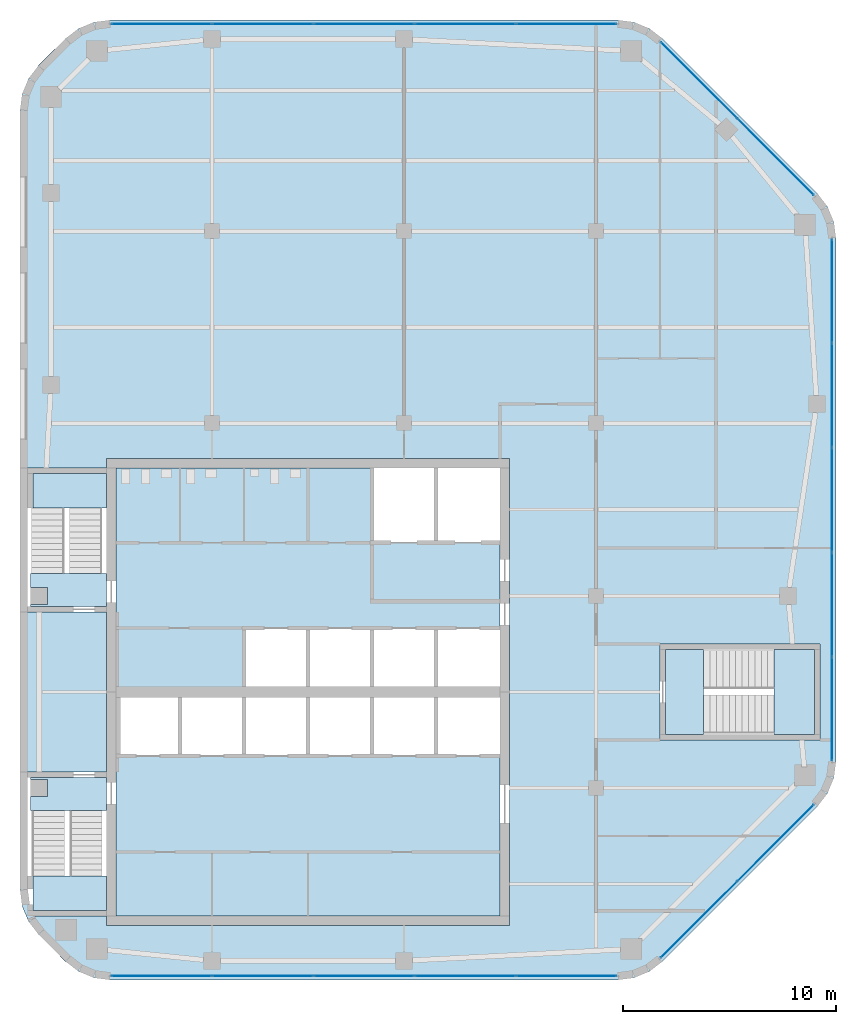
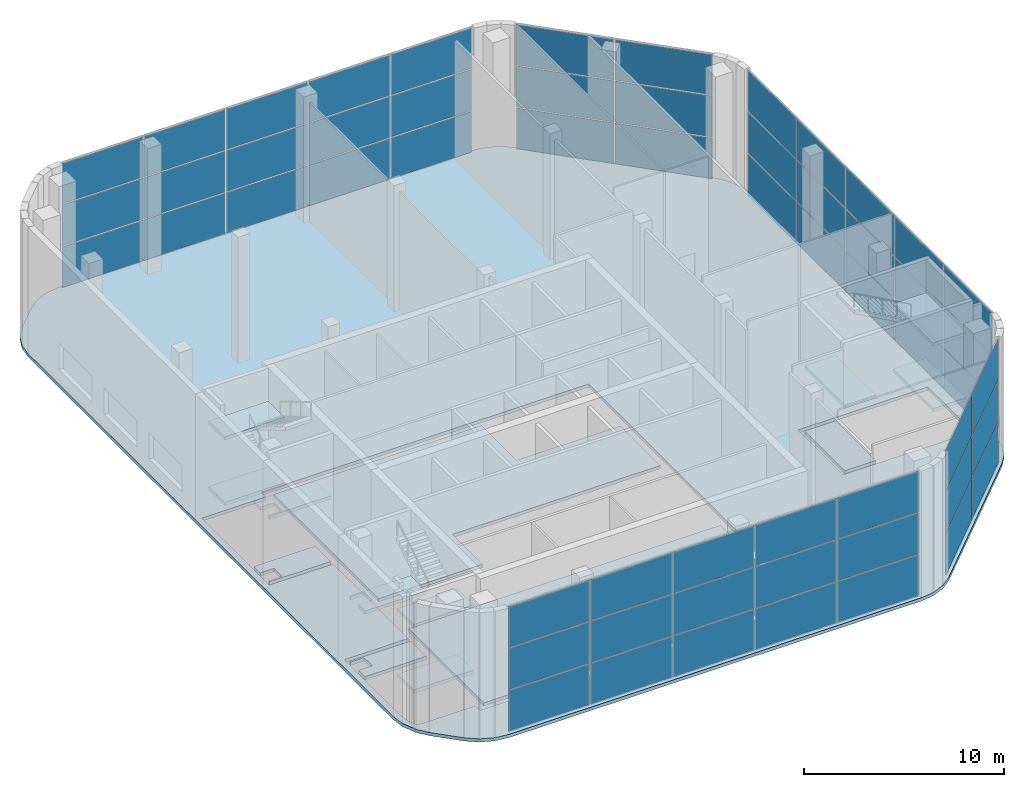
# One storey, part 7 of 12: 57 plates, 15 slabs, 8 elements without a shape of their own.
"""IFC4 building model written with IfcOpenShell, lengths in metres."""

from ifc_helpers import new_model, si_unit, direction, frame, origin, origin_2d, place, context, subcontext, project, spatial, polyline, rectangle, outline, extrude, material, layer, layer_set, type_object, element, aggregate, save


model = new_model("IFC4")

# Units and contexts
model_context = context("Model", 3, precision=1e-05, world=origin(), true_north=direction((0.0, 1.0)))
body_context = subcontext(model_context, "Body", "Model", "MODEL_VIEW")
ifc_project = project(units=[si_unit("LENGTHUNIT", "METRE"), si_unit("AREAUNIT", "SQUARE_METRE"), si_unit("VOLUMEUNIT", "CUBIC_METRE"), si_unit("PLANEANGLEUNIT", "RADIAN"), si_unit("MASSUNIT", "GRAM", prefix="KILO")], contexts=[model_context])

# Site, building, storey
site_placement = place(None, origin())
site = spatial("IfcSite", under=ifc_project, at=site_placement, CompositionType="ELEMENT")
building_placement = place(site_placement, origin())
building = spatial("IfcBuilding", under=site, at=building_placement, Name="Cinnabar Reach Civic Tower", CompositionType="ELEMENT")
storey_placement = place(building_placement, frame((0.0, 0.0, 283.0)))
storey = spatial("IfcBuildingStorey", under=building, at=storey_placement, Name="L68", CompositionType="ELEMENT", Elevation=283.0)

# Curtain wall, plates
ifc_material_1 = material(Name="Aluminium and clear double glazing", Category="aluminium")
curtain_wall_type = type_object("IfcCurtainWallType", Name="Observation deck curtain wall", PredefinedType="NOTDEFINED", material=ifc_material_1)
curtain_wall_1_placement = place(storey_placement, origin())
curtain_wall_1 = element("IfcCurtainWall", 1, at=curtain_wall_1_placement, inside=storey, type_object=curtain_wall_type, Name="Observation deck 1", PredefinedType="NOTDEFINED")
ifc_material_2 = material(Name="Clear double glazing", Category="glass")
ifc_layer_1 = layer(ifc_material_2, 0.028)
ifc_layer_set_1 = layer_set([ifc_layer_1], Name="Observation deck glazing panel")
plate_type = type_object("IfcPlateType", Name="Observation deck glazing panel", PredefinedType="CURTAIN_PANEL", material=ifc_layer_set_1)
plate_1_placement = place(storey_placement, frame((6.6341, 18.18, 0.0599), z_axis=(0.0, 0.0, 1.0), x_axis=(1.0, 0.0, 0.0)))
plate_1 = element("IfcPlate", 2, at=plate_1_placement, type_object=plate_type, Name="CW-T1OBS-1 panel 1.1", PredefinedType="CURTAIN_PANEL", context=body_context, shape_type="SweptSolid", body=[
    extrude(rectangle(XDim=4.663, YDim=0.028, at=origin_2d()), origin(), (0.0, 0.0, 1.0), 2.4767),
])
plate_2_placement = place(storey_placement, frame((6.6341, 18.18, 2.5967), z_axis=(0.0, 0.0, 1.0), x_axis=(1.0, 0.0, 0.0)))
plate_2 = element("IfcPlate", 3, at=plate_2_placement, type_object=plate_type, Name="CW-T1OBS-1 panel 1.2", PredefinedType="CURTAIN_PANEL", context=body_context, shape_type="SweptSolid", body=[
    extrude(rectangle(XDim=4.663, YDim=0.028, at=origin_2d()), origin(), (0.0, 0.0, 1.0), 2.5067),
])
plate_3_placement = place(storey_placement, frame((6.6341, 18.18, 5.1633), z_axis=(0.0, 0.0, 1.0), x_axis=(1.0, 0.0, 0.0)))
plate_3 = element("IfcPlate", 4, at=plate_3_placement, type_object=plate_type, Name="CW-T1OBS-1 panel 1.3", PredefinedType="CURTAIN_PANEL", context=body_context, shape_type="SweptSolid", body=[
    extrude(rectangle(XDim=4.663, YDim=0.028, at=origin_2d()), origin(), (0.0, 0.0, 1.0), 2.4767),
])
plate_4_placement = place(storey_placement, frame((11.372, 18.18, 0.0599), z_axis=(0.0, 0.0, 1.0), x_axis=(1.0, 0.0, 0.0)))
plate_4 = element("IfcPlate", 5, at=plate_4_placement, type_object=plate_type, Name="CW-T1OBS-1 panel 2.1", PredefinedType="CURTAIN_PANEL", context=body_context, shape_type="SweptSolid", body=[
    extrude(rectangle(XDim=4.693, YDim=0.028, at=origin_2d()), origin(), (0.0, 0.0, 1.0), 2.4767),
])
plate_5_placement = place(storey_placement, frame((11.372, 18.18, 2.5967), z_axis=(0.0, 0.0, 1.0), x_axis=(1.0, 0.0, 0.0)))
plate_5 = element("IfcPlate", 6, at=plate_5_placement, type_object=plate_type, Name="CW-T1OBS-1 panel 2.2", PredefinedType="CURTAIN_PANEL", context=body_context, shape_type="SweptSolid", body=[
    extrude(rectangle(XDim=4.693, YDim=0.028, at=origin_2d()), origin(), (0.0, 0.0, 1.0), 2.5067),
])
plate_6_placement = place(storey_placement, frame((11.372, 18.18, 5.1633), z_axis=(0.0, 0.0, 1.0), x_axis=(1.0, 0.0, 0.0)))
plate_6 = element("IfcPlate", 7, at=plate_6_placement, type_object=plate_type, Name="CW-T1OBS-1 panel 2.3", PredefinedType="CURTAIN_PANEL", context=body_context, shape_type="SweptSolid", body=[
    extrude(rectangle(XDim=4.693, YDim=0.028, at=origin_2d()), origin(), (0.0, 0.0, 1.0), 2.4767),
])
plate_7_placement = place(storey_placement, frame((16.125, 18.18, 0.0599), z_axis=(0.0, 0.0, 1.0), x_axis=(1.0, 0.0, 0.0)))
plate_7 = element("IfcPlate", 8, at=plate_7_placement, type_object=plate_type, Name="CW-T1OBS-1 panel 3.1", PredefinedType="CURTAIN_PANEL", context=body_context, shape_type="SweptSolid", body=[
    extrude(rectangle(XDim=4.693, YDim=0.028, at=origin_2d()), origin(), (0.0, 0.0, 1.0), 2.4767),
])
plate_8_placement = place(storey_placement, frame((16.125, 18.18, 2.5967), z_axis=(0.0, 0.0, 1.0), x_axis=(1.0, 0.0, 0.0)))
plate_8 = element("IfcPlate", 9, at=plate_8_placement, type_object=plate_type, Name="CW-T1OBS-1 panel 3.2", PredefinedType="CURTAIN_PANEL", context=body_context, shape_type="SweptSolid", body=[
    extrude(rectangle(XDim=4.693, YDim=0.028, at=origin_2d()), origin(), (0.0, 0.0, 1.0), 2.5067),
])
plate_9_placement = place(storey_placement, frame((16.125, 18.18, 5.1633), z_axis=(0.0, 0.0, 1.0), x_axis=(1.0, 0.0, 0.0)))
plate_9 = element("IfcPlate", 10, at=plate_9_placement, type_object=plate_type, Name="CW-T1OBS-1 panel 3.3", PredefinedType="CURTAIN_PANEL", context=body_context, shape_type="SweptSolid", body=[
    extrude(rectangle(XDim=4.693, YDim=0.028, at=origin_2d()), origin(), (0.0, 0.0, 1.0), 2.4767),
])
plate_10_placement = place(storey_placement, frame((20.878, 18.18, 0.0599), z_axis=(0.0, 0.0, 1.0), x_axis=(1.0, 0.0, 0.0)))
plate_10 = element("IfcPlate", 11, at=plate_10_placement, type_object=plate_type, Name="CW-T1OBS-1 panel 4.1", PredefinedType="CURTAIN_PANEL", context=body_context, shape_type="SweptSolid", body=[
    extrude(rectangle(XDim=4.693, YDim=0.028, at=origin_2d()), origin(), (0.0, 0.0, 1.0), 2.4767),
])
plate_11_placement = place(storey_placement, frame((20.878, 18.18, 2.5967), z_axis=(0.0, 0.0, 1.0), x_axis=(1.0, 0.0, 0.0)))
plate_11 = element("IfcPlate", 12, at=plate_11_placement, type_object=plate_type, Name="CW-T1OBS-1 panel 4.2", PredefinedType="CURTAIN_PANEL", context=body_context, shape_type="SweptSolid", body=[
    extrude(rectangle(XDim=4.693, YDim=0.028, at=origin_2d()), origin(), (0.0, 0.0, 1.0), 2.5067),
])
plate_12_placement = place(storey_placement, frame((20.878, 18.18, 5.1633), z_axis=(0.0, 0.0, 1.0), x_axis=(1.0, 0.0, 0.0)))
plate_12 = element("IfcPlate", 13, at=plate_12_placement, type_object=plate_type, Name="CW-T1OBS-1 panel 4.3", PredefinedType="CURTAIN_PANEL", context=body_context, shape_type="SweptSolid", body=[
    extrude(rectangle(XDim=4.693, YDim=0.028, at=origin_2d()), origin(), (0.0, 0.0, 1.0), 2.4767),
])
plate_13_placement = place(storey_placement, frame((25.6159, 18.18, 0.0599), z_axis=(0.0, 0.0, 1.0), x_axis=(1.0, 0.0, 0.0)))
plate_13 = element("IfcPlate", 14, at=plate_13_placement, type_object=plate_type, Name="CW-T1OBS-1 panel 5.1", PredefinedType="CURTAIN_PANEL", context=body_context, shape_type="SweptSolid", body=[
    extrude(rectangle(XDim=4.663, YDim=0.028, at=origin_2d()), origin(), (0.0, 0.0, 1.0), 2.4767),
])
plate_14_placement = place(storey_placement, frame((25.6159, 18.18, 2.5967), z_axis=(0.0, 0.0, 1.0), x_axis=(1.0, 0.0, 0.0)))
plate_14 = element("IfcPlate", 15, at=plate_14_placement, type_object=plate_type, Name="CW-T1OBS-1 panel 5.2", PredefinedType="CURTAIN_PANEL", context=body_context, shape_type="SweptSolid", body=[
    extrude(rectangle(XDim=4.663, YDim=0.028, at=origin_2d()), origin(), (0.0, 0.0, 1.0), 2.5067),
])
plate_15_placement = place(storey_placement, frame((25.6159, 18.18, 5.1633), z_axis=(0.0, 0.0, 1.0), x_axis=(1.0, 0.0, 0.0)))
plate_15 = element("IfcPlate", 16, at=plate_15_placement, type_object=plate_type, Name="CW-T1OBS-1 panel 5.3", PredefinedType="CURTAIN_PANEL", context=body_context, shape_type="SweptSolid", body=[
    extrude(rectangle(XDim=4.663, YDim=0.028, at=origin_2d()), origin(), (0.0, 0.0, 1.0), 2.4767),
])
aggregate(curtain_wall_1, [plate_1, plate_2, plate_3, plate_4, plate_5, plate_6, plate_7, plate_8, plate_9, plate_10, plate_11, plate_12, plate_13, plate_14, plate_15])

curtain_wall_2_placement = place(storey_placement, origin())
curtain_wall_2 = element("IfcCurtainWall", 17, at=curtain_wall_2_placement, inside=storey, type_object=curtain_wall_type, Name="Observation deck 2", PredefinedType="NOTDEFINED")
plate_16_placement = place(storey_placement, frame((31.8227, 20.8273, 0.0599), z_axis=(0.0, 0.0, 1.0), x_axis=(0.707106781187, 0.707106781187, 0.0)))
plate_16 = element("IfcPlate", 18, at=plate_16_placement, type_object=plate_type, Name="CW-T1OBS-2 panel 1.1", PredefinedType="CURTAIN_PANEL", context=body_context, shape_type="SweptSolid", body=[
    extrude(rectangle(XDim=5.0313, YDim=0.028, at=origin_2d()), origin(), (0.0, 0.0, 1.0), 2.4767),
])
plate_17_placement = place(storey_placement, frame((31.8227, 20.8273, 2.5967), z_axis=(0.0, 0.0, 1.0), x_axis=(0.707106781187, 0.707106781187, 0.0)))
plate_17 = element("IfcPlate", 19, at=plate_17_placement, type_object=plate_type, Name="CW-T1OBS-2 panel 1.2", PredefinedType="CURTAIN_PANEL", context=body_context, shape_type="SweptSolid", body=[
    extrude(rectangle(XDim=5.0313, YDim=0.028, at=origin_2d()), origin(), (0.0, 0.0, 1.0), 2.5067),
])
plate_18_placement = place(storey_placement, frame((31.8227, 20.8273, 5.1633), z_axis=(0.0, 0.0, 1.0), x_axis=(0.707106781187, 0.707106781187, 0.0)))
plate_18 = element("IfcPlate", 20, at=plate_18_placement, type_object=plate_type, Name="CW-T1OBS-2 panel 1.3", PredefinedType="CURTAIN_PANEL", context=body_context, shape_type="SweptSolid", body=[
    extrude(rectangle(XDim=5.0313, YDim=0.028, at=origin_2d()), origin(), (0.0, 0.0, 1.0), 2.4767),
])
plate_19_placement = place(storey_placement, frame((35.4227, 24.4273, 0.0599), z_axis=(0.0, 0.0, 1.0), x_axis=(0.707106781187, 0.707106781187, 0.0)))
plate_19 = element("IfcPlate", 21, at=plate_19_placement, type_object=plate_type, Name="CW-T1OBS-2 panel 2.1", PredefinedType="CURTAIN_PANEL", context=body_context, shape_type="SweptSolid", body=[
    extrude(rectangle(XDim=5.0313, YDim=0.028, at=origin_2d()), origin(), (0.0, 0.0, 1.0), 2.4767),
])
plate_20_placement = place(storey_placement, frame((35.4227, 24.4273, 2.5967), z_axis=(0.0, 0.0, 1.0), x_axis=(0.707106781187, 0.707106781187, 0.0)))
plate_20 = element("IfcPlate", 22, at=plate_20_placement, type_object=plate_type, Name="CW-T1OBS-2 panel 2.2", PredefinedType="CURTAIN_PANEL", context=body_context, shape_type="SweptSolid", body=[
    extrude(rectangle(XDim=5.0313, YDim=0.028, at=origin_2d()), origin(), (0.0, 0.0, 1.0), 2.5067),
])
plate_21_placement = place(storey_placement, frame((35.4227, 24.4273, 5.1633), z_axis=(0.0, 0.0, 1.0), x_axis=(0.707106781187, 0.707106781187, 0.0)))
plate_21 = element("IfcPlate", 23, at=plate_21_placement, type_object=plate_type, Name="CW-T1OBS-2 panel 2.3", PredefinedType="CURTAIN_PANEL", context=body_context, shape_type="SweptSolid", body=[
    extrude(rectangle(XDim=5.0313, YDim=0.028, at=origin_2d()), origin(), (0.0, 0.0, 1.0), 2.4767),
])
aggregate(curtain_wall_2, [plate_16, plate_17, plate_18, plate_19, plate_20, plate_21])

curtain_wall_3_placement = place(storey_placement, origin())
curtain_wall_3 = element("IfcCurtainWall", 24, at=curtain_wall_3_placement, inside=storey, type_object=curtain_wall_type, Name="Observation deck 3", PredefinedType="NOTDEFINED")
plate_22_placement = place(storey_placement, frame((38.07, 30.7091, 0.0599), z_axis=(0.0, 0.0, 1.0), x_axis=(0.0, 1.0, 0.0)))
plate_22 = element("IfcPlate", 25, at=plate_22_placement, type_object=plate_type, Name="CW-T1OBS-3 panel 1.1", PredefinedType="CURTAIN_PANEL", context=body_context, shape_type="SweptSolid", body=[
    extrude(rectangle(XDim=4.813, YDim=0.028, at=origin_2d()), origin(), (0.0, 0.0, 1.0), 2.4767),
])
plate_23_placement = place(storey_placement, frame((38.07, 30.7091, 2.5967), z_axis=(0.0, 0.0, 1.0), x_axis=(0.0, 1.0, 0.0)))
plate_23 = element("IfcPlate", 26, at=plate_23_placement, type_object=plate_type, Name="CW-T1OBS-3 panel 1.2", PredefinedType="CURTAIN_PANEL", context=body_context, shape_type="SweptSolid", body=[
    extrude(rectangle(XDim=4.813, YDim=0.028, at=origin_2d()), origin(), (0.0, 0.0, 1.0), 2.5067),
])
plate_24_placement = place(storey_placement, frame((38.07, 30.7091, 5.1633), z_axis=(0.0, 0.0, 1.0), x_axis=(0.0, 1.0, 0.0)))
plate_24 = element("IfcPlate", 27, at=plate_24_placement, type_object=plate_type, Name="CW-T1OBS-3 panel 1.3", PredefinedType="CURTAIN_PANEL", context=body_context, shape_type="SweptSolid", body=[
    extrude(rectangle(XDim=4.813, YDim=0.028, at=origin_2d()), origin(), (0.0, 0.0, 1.0), 2.4767),
])
plate_25_placement = place(storey_placement, frame((38.07, 35.597, 0.0599), z_axis=(0.0, 0.0, 1.0), x_axis=(0.0, 1.0, 0.0)))
plate_25 = element("IfcPlate", 28, at=plate_25_placement, type_object=plate_type, Name="CW-T1OBS-3 panel 2.1", PredefinedType="CURTAIN_PANEL", context=body_context, shape_type="SweptSolid", body=[
    extrude(rectangle(XDim=4.843, YDim=0.028, at=origin_2d()), origin(), (0.0, 0.0, 1.0), 2.4767),
])
plate_26_placement = place(storey_placement, frame((38.07, 35.597, 2.5967), z_axis=(0.0, 0.0, 1.0), x_axis=(0.0, 1.0, 0.0)))
plate_26 = element("IfcPlate", 29, at=plate_26_placement, type_object=plate_type, Name="CW-T1OBS-3 panel 2.2", PredefinedType="CURTAIN_PANEL", context=body_context, shape_type="SweptSolid", body=[
    extrude(rectangle(XDim=4.843, YDim=0.028, at=origin_2d()), origin(), (0.0, 0.0, 1.0), 2.5067),
])
plate_27_placement = place(storey_placement, frame((38.07, 35.597, 5.1633), z_axis=(0.0, 0.0, 1.0), x_axis=(0.0, 1.0, 0.0)))
plate_27 = element("IfcPlate", 30, at=plate_27_placement, type_object=plate_type, Name="CW-T1OBS-3 panel 2.3", PredefinedType="CURTAIN_PANEL", context=body_context, shape_type="SweptSolid", body=[
    extrude(rectangle(XDim=4.843, YDim=0.028, at=origin_2d()), origin(), (0.0, 0.0, 1.0), 2.4767),
])
plate_28_placement = place(storey_placement, frame((38.07, 40.5, 0.0599), z_axis=(0.0, 0.0, 1.0), x_axis=(0.0, 1.0, 0.0)))
plate_28 = element("IfcPlate", 31, at=plate_28_placement, type_object=plate_type, Name="CW-T1OBS-3 panel 3.1", PredefinedType="CURTAIN_PANEL", context=body_context, shape_type="SweptSolid", body=[
    extrude(rectangle(XDim=4.843, YDim=0.028, at=origin_2d()), origin(), (0.0, 0.0, 1.0), 2.4767),
])
plate_29_placement = place(storey_placement, frame((38.07, 40.5, 2.5967), z_axis=(0.0, 0.0, 1.0), x_axis=(0.0, 1.0, 0.0)))
plate_29 = element("IfcPlate", 32, at=plate_29_placement, type_object=plate_type, Name="CW-T1OBS-3 panel 3.2", PredefinedType="CURTAIN_PANEL", context=body_context, shape_type="SweptSolid", body=[
    extrude(rectangle(XDim=4.843, YDim=0.028, at=origin_2d()), origin(), (0.0, 0.0, 1.0), 2.5067),
])
plate_30_placement = place(storey_placement, frame((38.07, 40.5, 5.1633), z_axis=(0.0, 0.0, 1.0), x_axis=(0.0, 1.0, 0.0)))
plate_30 = element("IfcPlate", 33, at=plate_30_placement, type_object=plate_type, Name="CW-T1OBS-3 panel 3.3", PredefinedType="CURTAIN_PANEL", context=body_context, shape_type="SweptSolid", body=[
    extrude(rectangle(XDim=4.843, YDim=0.028, at=origin_2d()), origin(), (0.0, 0.0, 1.0), 2.4767),
])
plate_31_placement = place(storey_placement, frame((38.07, 45.403, 0.0599), z_axis=(0.0, 0.0, 1.0), x_axis=(0.0, 1.0, 0.0)))
plate_31 = element("IfcPlate", 34, at=plate_31_placement, type_object=plate_type, Name="CW-T1OBS-3 panel 4.1", PredefinedType="CURTAIN_PANEL", context=body_context, shape_type="SweptSolid", body=[
    extrude(rectangle(XDim=4.843, YDim=0.028, at=origin_2d()), origin(), (0.0, 0.0, 1.0), 2.4767),
])
plate_32_placement = place(storey_placement, frame((38.07, 45.403, 2.5967), z_axis=(0.0, 0.0, 1.0), x_axis=(0.0, 1.0, 0.0)))
plate_32 = element("IfcPlate", 35, at=plate_32_placement, type_object=plate_type, Name="CW-T1OBS-3 panel 4.2", PredefinedType="CURTAIN_PANEL", context=body_context, shape_type="SweptSolid", body=[
    extrude(rectangle(XDim=4.843, YDim=0.028, at=origin_2d()), origin(), (0.0, 0.0, 1.0), 2.5067),
])
plate_33_placement = place(storey_placement, frame((38.07, 45.403, 5.1633), z_axis=(0.0, 0.0, 1.0), x_axis=(0.0, 1.0, 0.0)))
plate_33 = element("IfcPlate", 36, at=plate_33_placement, type_object=plate_type, Name="CW-T1OBS-3 panel 4.3", PredefinedType="CURTAIN_PANEL", context=body_context, shape_type="SweptSolid", body=[
    extrude(rectangle(XDim=4.843, YDim=0.028, at=origin_2d()), origin(), (0.0, 0.0, 1.0), 2.4767),
])
plate_34_placement = place(storey_placement, frame((38.07, 50.2909, 0.0599), z_axis=(0.0, 0.0, 1.0), x_axis=(0.0, 1.0, 0.0)))
plate_34 = element("IfcPlate", 37, at=plate_34_placement, type_object=plate_type, Name="CW-T1OBS-3 panel 5.1", PredefinedType="CURTAIN_PANEL", context=body_context, shape_type="SweptSolid", body=[
    extrude(rectangle(XDim=4.813, YDim=0.028, at=origin_2d()), origin(), (0.0, 0.0, 1.0), 2.4767),
])
plate_35_placement = place(storey_placement, frame((38.07, 50.2909, 2.5967), z_axis=(0.0, 0.0, 1.0), x_axis=(0.0, 1.0, 0.0)))
plate_35 = element("IfcPlate", 38, at=plate_35_placement, type_object=plate_type, Name="CW-T1OBS-3 panel 5.2", PredefinedType="CURTAIN_PANEL", context=body_context, shape_type="SweptSolid", body=[
    extrude(rectangle(XDim=4.813, YDim=0.028, at=origin_2d()), origin(), (0.0, 0.0, 1.0), 2.5067),
])
plate_36_placement = place(storey_placement, frame((38.07, 50.2909, 5.1633), z_axis=(0.0, 0.0, 1.0), x_axis=(0.0, 1.0, 0.0)))
plate_36 = element("IfcPlate", 39, at=plate_36_placement, type_object=plate_type, Name="CW-T1OBS-3 panel 5.3", PredefinedType="CURTAIN_PANEL", context=body_context, shape_type="SweptSolid", body=[
    extrude(rectangle(XDim=4.813, YDim=0.028, at=origin_2d()), origin(), (0.0, 0.0, 1.0), 2.4767),
])
aggregate(curtain_wall_3, [plate_22, plate_23, plate_24, plate_25, plate_26, plate_27, plate_28, plate_29, plate_30, plate_31, plate_32, plate_33, plate_34, plate_35, plate_36])

curtain_wall_4_placement = place(storey_placement, origin())
curtain_wall_4 = element("IfcCurtainWall", 40, at=curtain_wall_4_placement, inside=storey, type_object=curtain_wall_type, Name="Observation deck 4", PredefinedType="NOTDEFINED")
plate_37_placement = place(storey_placement, frame((35.4227, 56.5727, 0.0599), z_axis=(0.0, 0.0, 1.0), x_axis=(-0.707106781187, 0.707106781187, 0.0)))
plate_37 = element("IfcPlate", 41, at=plate_37_placement, type_object=plate_type, Name="CW-T1OBS-4 panel 1.1", PredefinedType="CURTAIN_PANEL", context=body_context, shape_type="SweptSolid", body=[
    extrude(rectangle(XDim=5.0313, YDim=0.028, at=origin_2d()), origin(), (0.0, 0.0, 1.0), 2.4767),
])
plate_38_placement = place(storey_placement, frame((35.4227, 56.5727, 2.5967), z_axis=(0.0, 0.0, 1.0), x_axis=(-0.707106781187, 0.707106781187, 0.0)))
plate_38 = element("IfcPlate", 42, at=plate_38_placement, type_object=plate_type, Name="CW-T1OBS-4 panel 1.2", PredefinedType="CURTAIN_PANEL", context=body_context, shape_type="SweptSolid", body=[
    extrude(rectangle(XDim=5.0313, YDim=0.028, at=origin_2d()), origin(), (0.0, 0.0, 1.0), 2.5067),
])
plate_39_placement = place(storey_placement, frame((35.4227, 56.5727, 5.1633), z_axis=(0.0, 0.0, 1.0), x_axis=(-0.707106781187, 0.707106781187, 0.0)))
plate_39 = element("IfcPlate", 43, at=plate_39_placement, type_object=plate_type, Name="CW-T1OBS-4 panel 1.3", PredefinedType="CURTAIN_PANEL", context=body_context, shape_type="SweptSolid", body=[
    extrude(rectangle(XDim=5.0313, YDim=0.028, at=origin_2d()), origin(), (0.0, 0.0, 1.0), 2.4767),
])
plate_40_placement = place(storey_placement, frame((31.8227, 60.1727, 0.0599), z_axis=(0.0, 0.0, 1.0), x_axis=(-0.707106781187, 0.707106781187, 0.0)))
plate_40 = element("IfcPlate", 44, at=plate_40_placement, type_object=plate_type, Name="CW-T1OBS-4 panel 2.1", PredefinedType="CURTAIN_PANEL", context=body_context, shape_type="SweptSolid", body=[
    extrude(rectangle(XDim=5.0313, YDim=0.028, at=origin_2d()), origin(), (0.0, 0.0, 1.0), 2.4767),
])
plate_41_placement = place(storey_placement, frame((31.8227, 60.1727, 2.5967), z_axis=(0.0, 0.0, 1.0), x_axis=(-0.707106781187, 0.707106781187, 0.0)))
plate_41 = element("IfcPlate", 45, at=plate_41_placement, type_object=plate_type, Name="CW-T1OBS-4 panel 2.2", PredefinedType="CURTAIN_PANEL", context=body_context, shape_type="SweptSolid", body=[
    extrude(rectangle(XDim=5.0313, YDim=0.028, at=origin_2d()), origin(), (0.0, 0.0, 1.0), 2.5067),
])
plate_42_placement = place(storey_placement, frame((31.8227, 60.1727, 5.1633), z_axis=(0.0, 0.0, 1.0), x_axis=(-0.707106781187, 0.707106781187, 0.0)))
plate_42 = element("IfcPlate", 46, at=plate_42_placement, type_object=plate_type, Name="CW-T1OBS-4 panel 2.3", PredefinedType="CURTAIN_PANEL", context=body_context, shape_type="SweptSolid", body=[
    extrude(rectangle(XDim=5.0313, YDim=0.028, at=origin_2d()), origin(), (0.0, 0.0, 1.0), 2.4767),
])
aggregate(curtain_wall_4, [plate_37, plate_38, plate_39, plate_40, plate_41, plate_42])

curtain_wall_5_placement = place(storey_placement, origin())
curtain_wall_5 = element("IfcCurtainWall", 47, at=curtain_wall_5_placement, inside=storey, type_object=curtain_wall_type, Name="Observation deck 5", PredefinedType="NOTDEFINED")
plate_43_placement = place(storey_placement, frame((25.6159, 62.82, 0.0599), z_axis=(0.0, 0.0, 1.0), x_axis=(-1.0, 0.0, 0.0)))
plate_43 = element("IfcPlate", 48, at=plate_43_placement, type_object=plate_type, Name="CW-T1OBS-5 panel 1.1", PredefinedType="CURTAIN_PANEL", context=body_context, shape_type="SweptSolid", body=[
    extrude(rectangle(XDim=4.663, YDim=0.028, at=origin_2d()), origin(), (0.0, 0.0, 1.0), 2.4767),
])
plate_44_placement = place(storey_placement, frame((25.6159, 62.82, 2.5967), z_axis=(0.0, 0.0, 1.0), x_axis=(-1.0, 0.0, 0.0)))
plate_44 = element("IfcPlate", 49, at=plate_44_placement, type_object=plate_type, Name="CW-T1OBS-5 panel 1.2", PredefinedType="CURTAIN_PANEL", context=body_context, shape_type="SweptSolid", body=[
    extrude(rectangle(XDim=4.663, YDim=0.028, at=origin_2d()), origin(), (0.0, 0.0, 1.0), 2.5067),
])
plate_45_placement = place(storey_placement, frame((25.6159, 62.82, 5.1633), z_axis=(0.0, 0.0, 1.0), x_axis=(-1.0, 0.0, 0.0)))
plate_45 = element("IfcPlate", 50, at=plate_45_placement, type_object=plate_type, Name="CW-T1OBS-5 panel 1.3", PredefinedType="CURTAIN_PANEL", context=body_context, shape_type="SweptSolid", body=[
    extrude(rectangle(XDim=4.663, YDim=0.028, at=origin_2d()), origin(), (0.0, 0.0, 1.0), 2.4767),
])
plate_46_placement = place(storey_placement, frame((20.878, 62.82, 0.0599), z_axis=(0.0, 0.0, 1.0), x_axis=(-1.0, 0.0, 0.0)))
plate_46 = element("IfcPlate", 51, at=plate_46_placement, type_object=plate_type, Name="CW-T1OBS-5 panel 2.1", PredefinedType="CURTAIN_PANEL", context=body_context, shape_type="SweptSolid", body=[
    extrude(rectangle(XDim=4.693, YDim=0.028, at=origin_2d()), origin(), (0.0, 0.0, 1.0), 2.4767),
])
plate_47_placement = place(storey_placement, frame((20.878, 62.82, 2.5967), z_axis=(0.0, 0.0, 1.0), x_axis=(-1.0, 0.0, 0.0)))
plate_47 = element("IfcPlate", 52, at=plate_47_placement, type_object=plate_type, Name="CW-T1OBS-5 panel 2.2", PredefinedType="CURTAIN_PANEL", context=body_context, shape_type="SweptSolid", body=[
    extrude(rectangle(XDim=4.693, YDim=0.028, at=origin_2d()), origin(), (0.0, 0.0, 1.0), 2.5067),
])
plate_48_placement = place(storey_placement, frame((20.878, 62.82, 5.1633), z_axis=(0.0, 0.0, 1.0), x_axis=(-1.0, 0.0, 0.0)))
plate_48 = element("IfcPlate", 53, at=plate_48_placement, type_object=plate_type, Name="CW-T1OBS-5 panel 2.3", PredefinedType="CURTAIN_PANEL", context=body_context, shape_type="SweptSolid", body=[
    extrude(rectangle(XDim=4.693, YDim=0.028, at=origin_2d()), origin(), (0.0, 0.0, 1.0), 2.4767),
])
plate_49_placement = place(storey_placement, frame((16.125, 62.82, 0.0599), z_axis=(0.0, 0.0, 1.0), x_axis=(-1.0, 0.0, 0.0)))
plate_49 = element("IfcPlate", 54, at=plate_49_placement, type_object=plate_type, Name="CW-T1OBS-5 panel 3.1", PredefinedType="CURTAIN_PANEL", context=body_context, shape_type="SweptSolid", body=[
    extrude(rectangle(XDim=4.693, YDim=0.028, at=origin_2d()), origin(), (0.0, 0.0, 1.0), 2.4767),
])
plate_50_placement = place(storey_placement, frame((16.125, 62.82, 2.5967), z_axis=(0.0, 0.0, 1.0), x_axis=(-1.0, 0.0, 0.0)))
plate_50 = element("IfcPlate", 55, at=plate_50_placement, type_object=plate_type, Name="CW-T1OBS-5 panel 3.2", PredefinedType="CURTAIN_PANEL", context=body_context, shape_type="SweptSolid", body=[
    extrude(rectangle(XDim=4.693, YDim=0.028, at=origin_2d()), origin(), (0.0, 0.0, 1.0), 2.5067),
])
plate_51_placement = place(storey_placement, frame((16.125, 62.82, 5.1633), z_axis=(0.0, 0.0, 1.0), x_axis=(-1.0, 0.0, 0.0)))
plate_51 = element("IfcPlate", 56, at=plate_51_placement, type_object=plate_type, Name="CW-T1OBS-5 panel 3.3", PredefinedType="CURTAIN_PANEL", context=body_context, shape_type="SweptSolid", body=[
    extrude(rectangle(XDim=4.693, YDim=0.028, at=origin_2d()), origin(), (0.0, 0.0, 1.0), 2.4767),
])
plate_52_placement = place(storey_placement, frame((11.372, 62.82, 0.0599), z_axis=(0.0, 0.0, 1.0), x_axis=(-1.0, 0.0, 0.0)))
plate_52 = element("IfcPlate", 57, at=plate_52_placement, type_object=plate_type, Name="CW-T1OBS-5 panel 4.1", PredefinedType="CURTAIN_PANEL", context=body_context, shape_type="SweptSolid", body=[
    extrude(rectangle(XDim=4.693, YDim=0.028, at=origin_2d()), origin(), (0.0, 0.0, 1.0), 2.4767),
])
plate_53_placement = place(storey_placement, frame((11.372, 62.82, 2.5967), z_axis=(0.0, 0.0, 1.0), x_axis=(-1.0, 0.0, 0.0)))
plate_53 = element("IfcPlate", 58, at=plate_53_placement, type_object=plate_type, Name="CW-T1OBS-5 panel 4.2", PredefinedType="CURTAIN_PANEL", context=body_context, shape_type="SweptSolid", body=[
    extrude(rectangle(XDim=4.693, YDim=0.028, at=origin_2d()), origin(), (0.0, 0.0, 1.0), 2.5067),
])
plate_54_placement = place(storey_placement, frame((11.372, 62.82, 5.1633), z_axis=(0.0, 0.0, 1.0), x_axis=(-1.0, 0.0, 0.0)))
plate_54 = element("IfcPlate", 59, at=plate_54_placement, type_object=plate_type, Name="CW-T1OBS-5 panel 4.3", PredefinedType="CURTAIN_PANEL", context=body_context, shape_type="SweptSolid", body=[
    extrude(rectangle(XDim=4.693, YDim=0.028, at=origin_2d()), origin(), (0.0, 0.0, 1.0), 2.4767),
])
plate_55_placement = place(storey_placement, frame((6.6341, 62.82, 0.0599), z_axis=(0.0, 0.0, 1.0), x_axis=(-1.0, 0.0, 0.0)))
plate_55 = element("IfcPlate", 60, at=plate_55_placement, type_object=plate_type, Name="CW-T1OBS-5 panel 5.1", PredefinedType="CURTAIN_PANEL", context=body_context, shape_type="SweptSolid", body=[
    extrude(rectangle(XDim=4.663, YDim=0.028, at=origin_2d()), origin(), (0.0, 0.0, 1.0), 2.4767),
])
plate_56_placement = place(storey_placement, frame((6.6341, 62.82, 2.5967), z_axis=(0.0, 0.0, 1.0), x_axis=(-1.0, 0.0, 0.0)))
plate_56 = element("IfcPlate", 61, at=plate_56_placement, type_object=plate_type, Name="CW-T1OBS-5 panel 5.2", PredefinedType="CURTAIN_PANEL", context=body_context, shape_type="SweptSolid", body=[
    extrude(rectangle(XDim=4.663, YDim=0.028, at=origin_2d()), origin(), (0.0, 0.0, 1.0), 2.5067),
])
plate_57_placement = place(storey_placement, frame((6.6341, 62.82, 5.1633), z_axis=(0.0, 0.0, 1.0), x_axis=(-1.0, 0.0, 0.0)))
plate_57 = element("IfcPlate", 62, at=plate_57_placement, type_object=plate_type, Name="CW-T1OBS-5 panel 5.3", PredefinedType="CURTAIN_PANEL", context=body_context, shape_type="SweptSolid", body=[
    extrude(rectangle(XDim=4.663, YDim=0.028, at=origin_2d()), origin(), (0.0, 0.0, 1.0), 2.4767),
])
aggregate(curtain_wall_5, [plate_43, plate_44, plate_45, plate_46, plate_47, plate_48, plate_49, plate_50, plate_51, plate_52, plate_53, plate_54, plate_55, plate_56, plate_57])

# Slab
ifc_material_3 = material(Name="Concrete C40", Category="concrete")
ifc_layer_2 = layer(ifc_material_3, 0.2)
ifc_layer_set_2 = layer_set([ifc_layer_2], Name="Observation deck slab 200 REI 150")
slab_type_1 = type_object("IfcSlabType", Name="Observation deck slab 200 REI 150", PredefinedType="FLOOR", material=ifc_layer_set_2)
slab_1_placement = place(storey_placement, frame((0.0, 0.0, -0.2)))
element("IfcSlab", 63, at=slab_1_placement, inside=storey, type_object=slab_type_1, Name="Observation deck slab 200 T1 L68", PredefinedType="FLOOR", context=body_context, shape_type="SweptSolid", body=[
    extrude(outline(polyline([(0.8787, 20.1213), (0.4019, 20.7426), (0.1022, 21.4662), (0.0, 22.2426), (0.0, 58.7574), (0.1022, 59.5338), (0.4019, 60.2574), (0.8787, 60.8787), (2.1213, 62.1213), (2.7426, 62.5981), (3.4662, 62.8978), (4.2426, 63.0), (28.0074, 63.0), (28.7838, 62.8978), (29.5074, 62.5981), (30.1287, 62.1213), (37.3713, 54.8787), (37.8481, 54.2574), (38.1478, 53.5338), (38.25, 52.7574), (38.25, 28.2426), (38.1478, 27.4662), (37.8481, 26.7426), (37.3713, 26.1213), (30.1287, 18.8787), (29.5074, 18.4019), (28.7838, 18.1022), (28.0074, 18.0), (4.2426, 18.0), (3.4662, 18.1022), (2.7426, 18.4019), (2.1213, 18.8787), (0.8787, 20.1213)]), holes=[polyline([(0.685, 21.0), (4.05, 21.0), (4.05, 20.55), (22.95, 20.55), (22.95, 42.45), (4.05, 42.45), (4.05, 42.0), (0.36, 42.0), (0.36, 35.25), (4.05, 35.25), (4.05, 27.75), (0.36, 27.75), (0.36, 22.2662), (0.453, 21.5602), (0.685, 21.0)]), polyline([(30.0, 33.75), (30.0, 29.25), (37.5, 29.25), (37.5, 33.75), (30.0, 33.75)])]), origin(), (0.0, 0.0, 1.0), 0.2),
])

# Stair, slabs
ifc_material_4 = material(Name="Concrete C40/50", Category="concrete")
stair_type = type_object("IfcStairType", Name="T1 Exit stair, double return", PredefinedType="DOUBLE_RETURN_STAIR", material=ifc_material_4)
stair_1_placement = place(storey_placement, origin())
stair_1 = element("IfcStair", 64, at=stair_1_placement, inside=storey, type_object=stair_type, Name="Stair T1-S1", PredefinedType="DOUBLE_RETURN_STAIR")
ifc_layer_3 = layer(ifc_material_4, 0.2)
ifc_layer_set_3 = layer_set([ifc_layer_3], Name="T1 Stair landing 200, Concrete C40/50")
slab_type_2 = type_object("IfcSlabType", Name="T1 Stair landing 200, Concrete C40/50", PredefinedType="LANDING", material=ifc_layer_set_3)
slab_2_placement = place(storey_placement, frame((0.0, 0.0, -0.2)))
slab_2 = element("IfcSlab", 65, at=slab_2_placement, type_object=slab_type_2, Name="T1-S1 landing 1", PredefinedType="LANDING", context=body_context, shape_type="SweptSolid", body=[
    extrude(outline(polyline([(0.5, 27.5), (4.05, 27.5), (4.05, 25.95), (0.5, 25.95), (0.5, 26.6), (1.3, 26.6), (1.3, 27.4), (0.5, 27.4), (0.5, 27.5)])), origin(), (0.0, 0.0, 1.0), 0.2),
])
slab_3_placement = place(storey_placement, frame((0.0, 0.0, 1.8)))
slab_3 = element("IfcSlab", 66, at=slab_3_placement, type_object=slab_type_2, Name="T1-S1 landing 2", PredefinedType="LANDING", context=body_context, shape_type="SweptSolid", body=[
    extrude(outline(polyline([(0.6, 21.25), (0.6, 22.87), (4.05, 22.87), (4.05, 21.25), (0.6, 21.25)])), origin(), (0.0, 0.0, 1.0), 0.2),
])
slab_4_placement = place(storey_placement, frame((0.0, 0.0, 3.8)))
slab_4 = element("IfcSlab", 67, at=slab_4_placement, type_object=slab_type_2, Name="T1-S1 landing 3", PredefinedType="LANDING", context=body_context, shape_type="SweptSolid", body=[
    extrude(outline(polyline([(0.5, 27.5), (4.05, 27.5), (4.05, 25.95), (0.5, 25.95), (0.5, 26.6), (1.3, 26.6), (1.3, 27.4), (0.5, 27.4), (0.5, 27.5)])), origin(), (0.0, 0.0, 1.0), 0.2),
])
slab_5_placement = place(storey_placement, frame((0.0, 0.0, 5.8)))
slab_5 = element("IfcSlab", 68, at=slab_5_placement, type_object=slab_type_2, Name="T1-S1 landing 4", PredefinedType="LANDING", context=body_context, shape_type="SweptSolid", body=[
    extrude(outline(polyline([(0.6, 21.25), (0.6, 22.87), (4.05, 22.87), (4.05, 21.25), (0.6, 21.25)])), origin(), (0.0, 0.0, 1.0), 0.2),
])
aggregate(stair_1, [slab_2, slab_3, slab_4, slab_5])

stair_2_placement = place(storey_placement, origin())
stair_2 = element("IfcStair", 69, at=stair_2_placement, inside=storey, type_object=stair_type, Name="Stair T1-S2", PredefinedType="DOUBLE_RETURN_STAIR")
slab_6_placement = place(storey_placement, frame((0.0, 0.0, -0.2)))
slab_6 = element("IfcSlab", 70, at=slab_6_placement, type_object=slab_type_2, Name="T1-S2 landing 1", PredefinedType="LANDING", context=body_context, shape_type="SweptSolid", body=[
    extrude(outline(polyline([(0.5, 37.05), (4.05, 37.05), (4.05, 35.5), (0.5, 35.5), (0.5, 35.6), (1.3, 35.6), (1.3, 36.4), (0.5, 36.4), (0.5, 37.05)])), origin(), (0.0, 0.0, 1.0), 0.2),
])
slab_7_placement = place(storey_placement, frame((0.0, 0.0, 1.8)))
slab_7 = element("IfcSlab", 71, at=slab_7_placement, type_object=slab_type_2, Name="T1-S2 landing 2", PredefinedType="LANDING", context=body_context, shape_type="SweptSolid", body=[
    extrude(outline(polyline([(0.6, 40.13), (0.6, 41.75), (4.05, 41.75), (4.05, 40.13), (0.6, 40.13)])), origin(), (0.0, 0.0, 1.0), 0.2),
])
slab_8_placement = place(storey_placement, frame((0.0, 0.0, 3.8)))
slab_8 = element("IfcSlab", 72, at=slab_8_placement, type_object=slab_type_2, Name="T1-S2 landing 3", PredefinedType="LANDING", context=body_context, shape_type="SweptSolid", body=[
    extrude(outline(polyline([(0.5, 37.05), (4.05, 37.05), (4.05, 35.5), (0.5, 35.5), (0.5, 35.6), (1.3, 35.6), (1.3, 36.4), (0.5, 36.4), (0.5, 37.05)])), origin(), (0.0, 0.0, 1.0), 0.2),
])
slab_9_placement = place(storey_placement, frame((0.0, 0.0, 5.8)))
slab_9 = element("IfcSlab", 73, at=slab_9_placement, type_object=slab_type_2, Name="T1-S2 landing 4", PredefinedType="LANDING", context=body_context, shape_type="SweptSolid", body=[
    extrude(outline(polyline([(0.6, 40.13), (0.6, 41.75), (4.05, 41.75), (4.05, 40.13), (0.6, 40.13)])), origin(), (0.0, 0.0, 1.0), 0.2),
])
aggregate(stair_2, [slab_6, slab_7, slab_8, slab_9])

stair_3_placement = place(storey_placement, origin())
stair_3 = element("IfcStair", 74, at=stair_3_placement, inside=storey, type_object=stair_type, Name="Stair T1-S3", PredefinedType="DOUBLE_RETURN_STAIR")
slab_10_placement = place(storey_placement, frame((0.0, 0.0, -0.2)))
slab_10 = element("IfcSlab", 75, at=slab_10_placement, type_object=slab_type_2, Name="T1-S3 landing 1", PredefinedType="LANDING", context=body_context, shape_type="SweptSolid", body=[
    extrude(outline(polyline([(30.25, 29.5), (32.05, 29.5), (32.05, 33.5), (30.25, 33.5), (30.25, 29.5)])), origin(), (0.0, 0.0, 1.0), 0.2),
])
slab_11_placement = place(storey_placement, frame((0.0, 0.0, 1.8)))
slab_11 = element("IfcSlab", 76, at=slab_11_placement, type_object=slab_type_2, Name="T1-S3 landing 2", PredefinedType="LANDING", context=body_context, shape_type="SweptSolid", body=[
    extrude(outline(polyline([(35.35, 29.5), (37.25, 29.5), (37.25, 33.5), (35.35, 33.5), (35.35, 29.5)])), origin(), (0.0, 0.0, 1.0), 0.2),
])
slab_12_placement = place(storey_placement, frame((0.0, 0.0, 3.8)))
slab_12 = element("IfcSlab", 77, at=slab_12_placement, type_object=slab_type_2, Name="T1-S3 landing 3", PredefinedType="LANDING", context=body_context, shape_type="SweptSolid", body=[
    extrude(outline(polyline([(30.25, 29.5), (32.05, 29.5), (32.05, 33.5), (30.25, 33.5), (30.25, 29.5)])), origin(), (0.0, 0.0, 1.0), 0.2),
])
slab_13_placement = place(storey_placement, frame((0.0, 0.0, 5.8)))
slab_13 = element("IfcSlab", 78, at=slab_13_placement, type_object=slab_type_2, Name="T1-S3 landing 4", PredefinedType="LANDING", context=body_context, shape_type="SweptSolid", body=[
    extrude(outline(polyline([(35.35, 29.5), (37.25, 29.5), (37.25, 33.5), (35.35, 33.5), (35.35, 29.5)])), origin(), (0.0, 0.0, 1.0), 0.2),
])
aggregate(stair_3, [slab_10, slab_11, slab_12, slab_13])

# Slabs
ifc_layer_4 = layer(ifc_material_4, 0.2)
ifc_layer_set_4 = layer_set([ifc_layer_4], Name="T1 core floor slab 200")
slab_type_3 = type_object("IfcSlabType", Name="T1 core floor slab 200", PredefinedType="FLOOR", material=ifc_layer_set_4)
slab_14_placement = place(storey_placement, frame((0.0, 0.0, -0.2)))
element("IfcSlab", 79, at=slab_14_placement, inside=storey, type_object=slab_type_3, Name="Core floor slab L68", PredefinedType="FLOOR", context=body_context, shape_type="SweptSolid", body=[
    extrude(outline(polyline([(22.5, 21.0), (4.5, 21.0), (4.5, 28.5), (7.5, 28.5), (10.5, 28.5), (13.5, 28.5), (16.5, 28.5), (19.5, 28.5), (22.5, 28.5), (22.5, 21.0)])), origin(), (0.0, 0.0, 1.0), 0.2),
])
slab_15_placement = place(storey_placement, frame((0.0, 0.0, -0.2)))
element("IfcSlab", 80, at=slab_15_placement, inside=storey, type_object=slab_type_3, Name="Core floor slab L68", PredefinedType="FLOOR", context=body_context, shape_type="SweptSolid", body=[
    extrude(outline(polyline([(22.5, 34.5), (19.5, 34.5), (16.5, 34.5), (13.5, 34.5), (10.5, 34.5), (10.5, 31.5), (7.5, 31.5), (4.5, 31.5), (4.5, 42.0), (16.5, 42.0), (16.5, 38.5), (19.5, 38.5), (22.5, 38.5), (22.5, 34.5)])), origin(), (0.0, 0.0, 1.0), 0.2),
])

save(model, "model.ifc")
